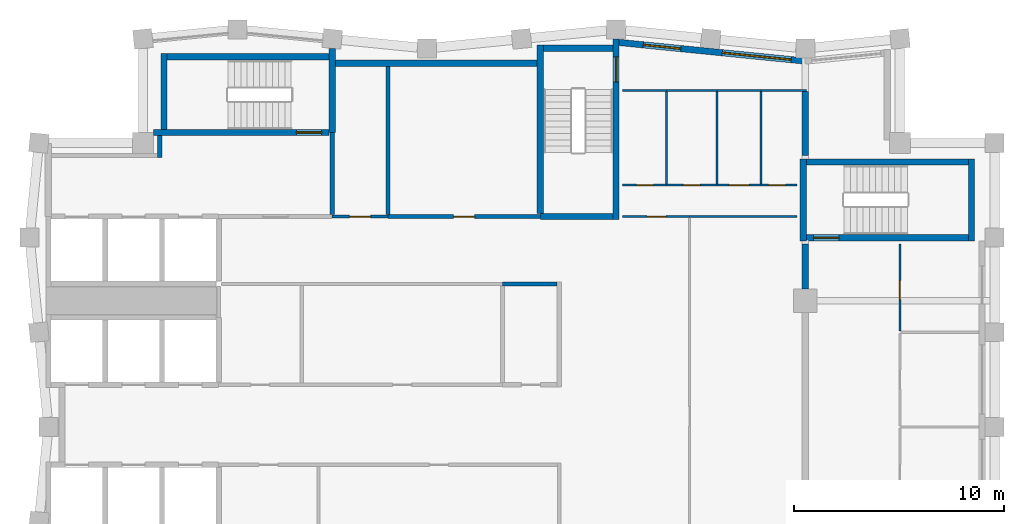
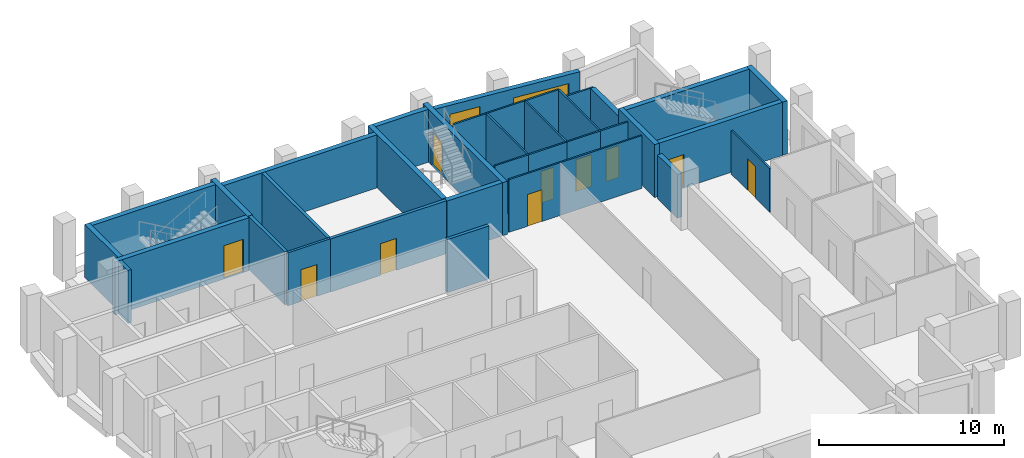
# One storey, part 5 of 7: 36 walls, 11 doors, 2 windows, 13 openings.
"""IFC4 building model written with IfcOpenShell, lengths in metres."""

from ifc_helpers import new_model, si_unit, direction, frame, frame_2d, origin, place, context, subcontext, project, spatial, rectangle, extrude, material, layer, layer_set, type_object, element, fill, save


model = new_model("IFC4")

# Units and contexts
model_context = context("Model", 3, precision=1e-05, world=origin(), true_north=direction((0.0, 1.0)))
body_context = subcontext(model_context, "Body", "Model", "MODEL_VIEW")
ifc_project = project(units=[si_unit("LENGTHUNIT", "METRE"), si_unit("AREAUNIT", "SQUARE_METRE"), si_unit("VOLUMEUNIT", "CUBIC_METRE"), si_unit("PLANEANGLEUNIT", "RADIAN"), si_unit("MASSUNIT", "GRAM", prefix="KILO")], contexts=[model_context])

# Site, building, storey
site_placement = place(None, origin())
site = spatial("IfcSite", under=ifc_project, at=site_placement, CompositionType="ELEMENT")
building_placement = place(site_placement, origin())
building = spatial("IfcBuilding", under=site, at=building_placement, Name="Brondeck Convention Tower", CompositionType="ELEMENT")
storey_placement = place(building_placement, frame((0.0, 0.0, 256.199951171875)))
storey = spatial("IfcBuildingStorey", under=building, at=storey_placement, Name="L63", CompositionType="ELEMENT", Elevation=256.199951171875)

# Walls
ifc_material_1 = material(Name="Concrete compartment wall C30/37", Category="concrete")
ifc_layer_1 = layer(ifc_material_1, 0.300048828125)
ifc_layer_set_1 = layer_set([ifc_layer_1], Name="Compartment wall 300")
wall_type_1 = type_object("IfcWallType", Name="Compartment wall 300", PredefinedType="PARTITIONING", material=ifc_layer_set_1)
wall_1_placement = place(storey_placement, frame((36.0, 51.554931640625, 0.0), z_axis=(0.0, 0.0, 1.0), x_axis=(0.0, 1.0, 0.0)))
element("IfcWall", 1, at=wall_1_placement, inside=storey, type_object=wall_type_1, Name="FLR-L63-W037", PredefinedType="PARTITIONING", context=body_context, shape_type="SweptSolid", body=[
    extrude(rectangle(XDim=2.14501953125, YDim=0.300048828125, at=frame_2d((1.072509765625, 0.0))), origin(), (0.0, 0.0, 1.0), 2.880126953125),
])
wall_2_placement = place(storey_placement, frame((36.0, 60.949951171875, 0.0), z_axis=(0.0, 0.0, 1.0), x_axis=(0.0, -1.0, 0.0)))
element("IfcWall", 2, at=wall_2_placement, inside=storey, type_object=wall_type_1, Name="FLR-L63-W049", PredefinedType="PARTITIONING", context=body_context, shape_type="SweptSolid", body=[
    extrude(rectangle(XDim=3.050048828125, YDim=0.300048828125, at=frame_2d((1.52490234375, 0.0))), origin(), (0.0, 0.0, 1.0), 2.880126953125),
])
ifc_material_2 = material(Name="Concrete C50/60", Category="concrete")
ifc_layer_2 = layer(ifc_material_2, 0.300048828125)
ifc_layer_set_2 = layer_set([ifc_layer_2], Name="Core outer wall 300 Concrete C50/60")
wall_type_2 = type_object("IfcWallType", Name="Core outer wall 300 Concrete C50/60", PredefinedType="SHEAR", material=ifc_layer_set_2)
wall_3_placement = place(storey_placement, frame((13.64990234375, 62.300048828125, 0.0), z_axis=(0.0, 0.0, 1.0), x_axis=(1.0, 0.0, 0.0)))
element("IfcWall", 3, at=wall_3_placement, inside=storey, type_object=wall_type_2, Name="L63 core wall", PredefinedType="SHEAR", context=body_context, shape_type="SweptSolid", body=[
    extrude(rectangle(XDim=9.60009765625, YDim=0.300048828125, at=frame_2d((4.800048828125, 0.0))), origin(), (0.0, 0.0, 1.0), 3.5),
])

# Wall, opening, door
ifc_material_3 = material(Name="Fire-rated gypsum board partition")
ifc_layer_3 = layer(ifc_material_3, 0.14990234375)
ifc_layer_set_3 = layer_set([ifc_layer_3], Name="Core partition 150 EI 60")
wall_type_3 = type_object("IfcWallType", Name="Core partition 150 EI 60", PredefinedType="PARTITIONING", material=ifc_layer_set_3)
wall_4_placement = place(storey_placement, frame((13.5, 55.0, 0.0), z_axis=(0.0, 0.0, 1.0), x_axis=(1.0, 0.0, 0.0)))
wall_4 = element("IfcWall", 4, at=wall_4_placement, inside=storey, type_object=wall_type_3, Name="L63 core wall", PredefinedType="PARTITIONING", context=body_context, shape_type="SweptSolid", body=[
    extrude(rectangle(XDim=2.64990234375, YDim=0.14990234375, at=frame_2d((1.324951171875, 0.0))), origin(), (0.0, 0.0, 1.0), 3.5),
])
opening_1_placement = place(wall_4_placement, frame((0.824951171875, 0.0, 0.0)))
opening_1 = element("IfcOpeningElement", 5, at=opening_1_placement, cuts=wall_4, Name="Opening C35-12", PredefinedType="OPENING", context=body_context, shape_type="SweptSolid", body=[
    extrude(rectangle(XDim=1.0, YDim=2.10009765625, at=frame_2d((0.5, 1.050048828125))), frame((0.0, 0.0849609375, 0.0), z_axis=(0.0, -1.0, 0.0), x_axis=(1.0, 0.0, 0.0)), (0.0, 0.0, 1.0), 0.169921875),
])
ifc_material_4 = material(Name="Steel fire door", Category="steel")
door_type_1 = type_object("IfcDoorType", Name="Room door 1000x2100 EI 60", OperationType="NOTDEFINED", PredefinedType="DOOR", material=ifc_material_4)
door_1_placement = place(opening_1_placement, origin())
door_1 = element("IfcDoor", 6, at=door_1_placement, inside=storey, type_object=door_type_1, Name="L63 Room door NE-1", OperationType="SINGLE_SWING_LEFT", OverallHeight=2.10009765625, OverallWidth=1.0, PredefinedType="DOOR", context=body_context, shape_type="SweptSolid", body=[
    extrude(rectangle(XDim=1.0, YDim=2.10009765625, at=frame_2d((0.5, 1.050048828125))), frame((0.0, 0.02490234375, 0.0), z_axis=(0.0, -1.0, 0.0), x_axis=(1.0, 0.0, 0.0)), (0.0, 0.0, 1.0), 0.050048828125),
])
fill(opening_1, door_1)

# Wall, openings, windows
ifc_material_5 = material(Name="Precast concrete C50/60 bronze finish", Category="concrete")
ifc_layer_4 = layer(ifc_material_5, 0.070068359375, Name="Bronze precast facing")
ifc_material_6 = material(Name="Mineral wool")
ifc_layer_5 = layer(ifc_material_6, 0.159912109375, Name="Insulation")
ifc_material_7 = material(Name="Concrete C35/45", Category="concrete")
ifc_layer_6 = layer(ifc_material_7, 0.070068359375, Name="Backing")
ifc_layer_set_4 = layer_set([ifc_layer_4, ifc_layer_5, ifc_layer_6], Name="External infill wall, precast concrete C50/60 bronze facing")
wall_type_4 = type_object("IfcWallType", Name="External infill wall, precast concrete C50/60 bronze facing", PredefinedType="SOLIDWALL", material=ifc_layer_set_4)
wall_5_placement = place(storey_placement, frame((27.089599609375, 63.2880859375, 0.0), z_axis=(0.0, 0.0, 1.0), x_axis=(0.995035835913, -0.09951726106, 0.0)))
wall_5 = element("IfcWall", 7, at=wall_5_placement, inside=storey, type_object=wall_type_4, Name="ENV-EW-L63-P3-A-N-07", PredefinedType="SOLIDWALL", context=body_context, shape_type="SweptSolid", body=[
    extrude(rectangle(XDim=8.9248046875, YDim=0.300048828125, at=frame_2d((4.46240234375, 0.0))), origin(), (0.0, 0.0, 1.0), 3.150146484375),
])
opening_2_placement = place(wall_5_placement, frame((1.211181640625, 0.0, 0.75)))
opening_2 = element("IfcOpeningElement", 8, at=opening_2_placement, cuts=wall_5, Name="Opening W10", PredefinedType="OPENING", context=body_context, shape_type="SweptSolid", body=[
    extrude(rectangle(XDim=1.800048828125, YDim=1.800048828125, at=frame_2d((0.89990234375, 0.89990234375))), frame((0.0, 0.159912109375, 0.0), z_axis=(0.0, -1.0, 0.0), x_axis=(1.0, 0.0, 0.0)), (0.0, 0.0, 1.0), 0.320068359375),
])
opening_3_placement = place(wall_5_placement, frame((4.983642578125, 0.0, 0.14990234375)))
opening_3 = element("IfcOpeningElement", 9, at=opening_3_placement, cuts=wall_5, Name="Opening W9", PredefinedType="OPENING", context=body_context, shape_type="SweptSolid", body=[
    extrude(rectangle(XDim=3.300048828125, YDim=2.39990234375, at=frame_2d((1.64990234375, 1.199951171875))), frame((0.0, 0.159912109375, 0.0), z_axis=(0.0, -1.0, 0.0), x_axis=(1.0, 0.0, 0.0)), (0.0, 0.0, 1.0), 0.320068359375),
])
ifc_material_8 = material(Name="Bronze tinted double glazing", Category="glass")
window_type_1 = type_object("IfcWindowType", Name="Glazed flute window, bronze tinted", PartitioningType="SINGLE_PANEL", PredefinedType="WINDOW", material=ifc_material_8)
window_1_placement = place(opening_3_placement, origin())
window_1 = element("IfcWindow", 10, at=window_1_placement, inside=storey, type_object=window_type_1, Name="ENV-WN-L63-P3-A-N-07", OverallHeight=2.39990234375, OverallWidth=3.300048828125, PartitioningType="SINGLE_PANEL", PredefinedType="WINDOW", context=body_context, shape_type="SweptSolid", body=[
    extrude(rectangle(XDim=3.300048828125, YDim=2.39990234375, at=frame_2d((1.64990234375, 1.199951171875))), frame((0.0, 0.030029296875, 0.0), z_axis=(0.0, -1.0, 0.0), x_axis=(1.0, 0.0, 0.0)), (0.0, 0.0, 1.0), 0.06005859375),
])
fill(opening_3, window_1)
window_type_2 = type_object("IfcWindowType", Name="Punched window, bronze tinted", PartitioningType="SINGLE_PANEL", PredefinedType="WINDOW", material=ifc_material_8)
window_2_placement = place(opening_2_placement, origin())
window_2 = element("IfcWindow", 11, at=window_2_placement, inside=storey, type_object=window_type_2, Name="ENV-WN-L63-P3-A-N-06", OverallHeight=1.800048828125, OverallWidth=1.800048828125, PartitioningType="SINGLE_PANEL", PredefinedType="WINDOW", context=body_context, shape_type="SweptSolid", body=[
    extrude(rectangle(XDim=1.800048828125, YDim=1.800048828125, at=frame_2d((0.89990234375, 0.89990234375))), frame((0.0, 0.030029296875, 0.0), z_axis=(0.0, -1.0, 0.0), x_axis=(1.0, 0.0, 0.0)), (0.0, 0.0, 1.0), 0.06005859375),
])
fill(opening_2, window_2)

# Walls
ifc_layer_7 = layer(ifc_material_3, 0.199951171875)
ifc_layer_set_5 = layer_set([ifc_layer_7], Name="Firefighting lobby wall 200 EI 120")
wall_type_5 = type_object("IfcWallType", Name="Firefighting lobby wall 200 EI 120", PredefinedType="PARTITIONING", material=ifc_layer_set_5)
wall_6_placement = place(storey_placement, frame((5.300048828125, 57.800048828125, 0.0), z_axis=(0.0, 0.0, 1.0), x_axis=(0.0, 1.0, 0.0)))
element("IfcWall", 12, at=wall_6_placement, inside=storey, type_object=wall_type_5, Name="L63 core wall", PredefinedType="PARTITIONING", context=body_context, shape_type="SweptSolid", body=[
    extrude(rectangle(XDim=1.050048828125, YDim=0.199951171875, at=frame_2d((0.52490234375, 0.0))), origin(), (0.0, 0.0, 1.0), 3.5),
])
wall_7_placement = place(storey_placement, frame((13.5, 55.10009765625, 0.0), z_axis=(0.0, 0.0, 1.0), x_axis=(0.0, 1.0, 0.0)))
element("IfcWall", 13, at=wall_7_placement, inside=storey, type_object=wall_type_5, Name="L63 core wall", PredefinedType="PARTITIONING", context=body_context, shape_type="SweptSolid", body=[
    extrude(rectangle(XDim=3.89990234375, YDim=0.199951171875, at=frame_2d((1.949951171875, 0.0))), origin(), (0.0, 0.0, 1.0), 3.5),
])
ifc_layer_8 = layer(ifc_material_3, 0.199951171875)
ifc_layer_set_6 = layer_set([ifc_layer_8], Name="Riser wall 200 EI 120")
wall_type_6 = type_object("IfcWallType", Name="Riser wall 200 EI 120", PredefinedType="PARTITIONING", material=ifc_layer_set_6)
wall_8_placement = place(storey_placement, frame((21.60009765625, 51.800048828125, 0.0), z_axis=(0.0, 0.0, 1.0), x_axis=(1.0, 0.0, 0.0)))
element("IfcWall", 14, at=wall_8_placement, inside=storey, type_object=wall_type_6, Name="L63 core wall", PredefinedType="PARTITIONING", context=body_context, shape_type="SweptSolid", body=[
    extrude(rectangle(XDim=2.599853515625, YDim=0.199951171875, at=frame_2d((1.2998046875, 0.0))), origin(), (0.0, 0.0, 1.0), 3.5),
])

# Wall, opening, door
wall_9_placement = place(storey_placement, frame((16.14990234375, 55.0, 0.0), z_axis=(0.0, 0.0, 1.0), x_axis=(1.0, 0.0, 0.0)))
wall_9 = element("IfcWall", 15, at=wall_9_placement, inside=storey, type_object=wall_type_6, Name="L63 core wall", PredefinedType="PARTITIONING", context=body_context, shape_type="SweptSolid", body=[
    extrude(rectangle(XDim=7.25, YDim=0.199951171875, at=frame_2d((3.625, 0.0))), origin(), (0.0, 0.0, 1.0), 3.5),
])
opening_4_placement = place(wall_9_placement, frame((3.125, 0.0, 0.0)))
opening_4 = element("IfcOpeningElement", 16, at=opening_4_placement, cuts=wall_9, Name="Opening C35-13", PredefinedType="OPENING", context=body_context, shape_type="SweptSolid", body=[
    extrude(rectangle(XDim=1.0, YDim=2.10009765625, at=frame_2d((0.5, 1.050048828125))), frame((0.0, 0.10986328125, 0.0), z_axis=(0.0, -1.0, 0.0), x_axis=(1.0, 0.0, 0.0)), (0.0, 0.0, 1.0), 0.219970703125),
])
door_type_2 = type_object("IfcDoorType", Name="Riser door 1000x2100 EI 120", OperationType="NOTDEFINED", PredefinedType="DOOR", material=ifc_material_4)
door_2_placement = place(opening_4_placement, origin())
door_2 = element("IfcDoor", 17, at=door_2_placement, inside=storey, type_object=door_type_2, Name="L63 Riser door NE-2", OperationType="SINGLE_SWING_RIGHT", OverallHeight=2.10009765625, OverallWidth=1.0, PredefinedType="DOOR", context=body_context, shape_type="SweptSolid", body=[
    extrude(rectangle(XDim=1.0, YDim=2.10009765625, at=frame_2d((0.5, 1.050048828125))), frame((0.0, 0.02490234375, 0.0), z_axis=(0.0, -1.0, 0.0), x_axis=(1.0, 0.0, 0.0)), (0.0, 0.0, 1.0), 0.050048828125),
])
fill(opening_4, door_2)

# Wall
wall_10_placement = place(storey_placement, frame((16.14990234375, 55.10009765625, 0.0), z_axis=(0.0, 0.0, 1.0), x_axis=(0.0, 1.0, 0.0)))
element("IfcWall", 18, at=wall_10_placement, inside=storey, type_object=wall_type_6, Name="L63 core wall", PredefinedType="PARTITIONING", context=body_context, shape_type="SweptSolid", body=[
    extrude(rectangle(XDim=7.0498046875, YDim=0.199951171875, at=frame_2d((3.52490234375, 0.0))), origin(), (0.0, 0.0, 1.0), 3.5),
])

# Wall, opening, door
ifc_material_9 = material(Name="Gypsum board partition on steel studs", Category="steel")
ifc_layer_9 = layer(ifc_material_9, 0.10009765625)
ifc_layer_set_7 = layer_set([ifc_layer_9], Name="Room partition 100")
wall_type_7 = type_object("IfcWallType", Name="Room partition 100", PredefinedType="PARTITIONING", material=ifc_layer_set_7)
wall_11_placement = place(storey_placement, frame((40.5, 53.699951171875, 0.0), z_axis=(0.0, 0.0, 1.0), x_axis=(0.0, -1.0, 0.0)))
wall_11 = element("IfcWall", 19, at=wall_11_placement, inside=storey, type_object=wall_type_7, Name="FLR-L63-W038", PredefinedType="PARTITIONING", context=body_context, shape_type="SweptSolid", body=[
    extrude(rectangle(XDim=4.14990234375, YDim=0.10009765625, at=frame_2d((2.074951171875, 0.0))), origin(), (0.0, 0.0, 1.0), 2.880126953125),
])
opening_5_placement = place(wall_11_placement, frame((1.75, 0.0, 0.0)))
opening_5 = element("IfcOpeningElement", 20, at=opening_5_placement, cuts=wall_11, Name="Opening EX-A2-004", PredefinedType="OPENING", context=body_context, shape_type="SweptSolid", body=[
    extrude(rectangle(XDim=0.89990234375, YDim=2.10009765625, at=frame_2d((0.449951171875, 1.050048828125))), frame((0.0, 0.06005859375, 0.0), z_axis=(0.0, -1.0, 0.0), x_axis=(1.0, 0.0, 0.0)), (0.0, 0.0, 1.0), 0.1201171875),
])
ifc_material_10 = material(Name="Solid timber door leaf", Category="wood")
door_type_3 = type_object("IfcDoorType", Name="Single door 900", OperationType="NOTDEFINED", PredefinedType="DOOR", material=ifc_material_10)
door_3_placement = place(opening_5_placement, origin())
door_3 = element("IfcDoor", 21, at=door_3_placement, inside=storey, type_object=door_type_3, Name="Door EX-A2-004", OperationType="SINGLE_SWING_LEFT", OverallHeight=2.10009765625, OverallWidth=0.89990234375, PredefinedType="DOOR", context=body_context, shape_type="SweptSolid", body=[
    extrude(rectangle(XDim=0.89990234375, YDim=2.10009765625, at=frame_2d((0.449951171875, 1.050048828125))), frame((0.0, 0.02490234375, 0.0), z_axis=(0.0, -1.0, 0.0), x_axis=(1.0, 0.0, 0.0)), (0.0, 0.0, 1.0), 0.050048828125),
])
fill(opening_5, door_3)

wall_12_placement = place(storey_placement, frame((27.300048828125, 55.0, 0.0), z_axis=(0.0, 0.0, 1.0), x_axis=(1.0, 0.0, 0.0)))
wall_12 = element("IfcWall", 22, at=wall_12_placement, inside=storey, type_object=wall_type_7, Name="FLR-L63-W040", PredefinedType="PARTITIONING", context=body_context, shape_type="SweptSolid", body=[
    extrude(rectangle(XDim=3.199951171875, YDim=0.10009765625, at=frame_2d((1.60009765625, 0.0))), origin(), (0.0, 0.0, 1.0), 3.47998046875),
])
opening_6_placement = place(wall_12_placement, frame((1.175048828125, 0.0, 0.0)))
opening_6 = element("IfcOpeningElement", 23, at=opening_6_placement, cuts=wall_12, Name="Opening EX-A2-010", PredefinedType="OPENING", context=body_context, shape_type="SweptSolid", body=[
    extrude(rectangle(XDim=0.89990234375, YDim=2.10009765625, at=frame_2d((0.449951171875, 1.050048828125))), frame((0.0, 0.06005859375, 0.0), z_axis=(0.0, -1.0, 0.0), x_axis=(1.0, 0.0, 0.0)), (0.0, 0.0, 1.0), 0.1201171875),
])
door_4_placement = place(opening_6_placement, origin())
door_4 = element("IfcDoor", 24, at=door_4_placement, inside=storey, type_object=door_type_3, Name="Door EX-A2-010", OperationType="SINGLE_SWING_RIGHT", OverallHeight=2.10009765625, OverallWidth=0.89990234375, PredefinedType="DOOR", context=body_context, shape_type="SweptSolid", body=[
    extrude(rectangle(XDim=0.89990234375, YDim=2.10009765625, at=frame_2d((0.449951171875, 1.050048828125))), frame((0.0, 0.02490234375, 0.0), z_axis=(0.0, -1.0, 0.0), x_axis=(1.0, 0.0, 0.0)), (0.0, 0.0, 1.0), 0.050048828125),
])
fill(opening_6, door_4)

# Wall
wall_13_placement = place(storey_placement, frame((35.60009765625, 55.0, 0.0), z_axis=(0.0, 0.0, 1.0), x_axis=(-1.0, 0.0, 0.0)))
element("IfcWall", 25, at=wall_13_placement, inside=storey, type_object=wall_type_7, Name="FLR-L63-W041", PredefinedType="PARTITIONING", context=body_context, shape_type="SweptSolid", body=[
    extrude(rectangle(XDim=5.10009765625, YDim=0.10009765625, at=frame_2d((2.550048828125, 0.0))), origin(), (0.0, 0.0, 1.0), 3.47998046875),
])

# Wall, opening, door
wall_14_placement = place(storey_placement, frame((27.300048828125, 56.5, 0.0), z_axis=(0.0, 0.0, 1.0), x_axis=(1.0, 0.0, 0.0)))
wall_14 = element("IfcWall", 26, at=wall_14_placement, inside=storey, type_object=wall_type_7, Name="FLR-L63-W042", PredefinedType="PARTITIONING", context=body_context, shape_type="SweptSolid", body=[
    extrude(rectangle(XDim=2.099853515625, YDim=0.10009765625, at=frame_2d((1.0498046875, 0.0))), origin(), (0.0, 0.0, 1.0), 3.47998046875),
])
opening_7_placement = place(wall_14_placement, frame((0.675048828125, 0.0, 0.0)))
opening_7 = element("IfcOpeningElement", 27, at=opening_7_placement, cuts=wall_14, Name="Opening EX-A2-011", PredefinedType="OPENING", context=body_context, shape_type="SweptSolid", body=[
    extrude(rectangle(XDim=0.800048828125, YDim=2.10009765625, at=frame_2d((0.39990234375, 1.050048828125))), frame((0.0, 0.06005859375, 0.0), z_axis=(0.0, -1.0, 0.0), x_axis=(1.0, 0.0, 0.0)), (0.0, 0.0, 1.0), 0.1201171875),
])
door_type_4 = type_object("IfcDoorType", Name="En-suite door 800", OperationType="NOTDEFINED", PredefinedType="DOOR", material=ifc_material_10)
door_5_placement = place(opening_7_placement, origin())
door_5 = element("IfcDoor", 28, at=door_5_placement, inside=storey, type_object=door_type_4, Name="Door EX-A2-011", OperationType="SINGLE_SWING_LEFT", OverallHeight=2.10009765625, OverallWidth=0.800048828125, PredefinedType="DOOR", context=body_context, shape_type="SweptSolid", body=[
    extrude(rectangle(XDim=0.800048828125, YDim=2.10009765625, at=frame_2d((0.39990234375, 1.050048828125))), frame((0.0, 0.02490234375, 0.0), z_axis=(0.0, -1.0, 0.0), x_axis=(1.0, 0.0, 0.0)), (0.0, 0.0, 1.0), 0.050048828125),
])
fill(opening_7, door_5)

wall_15_placement = place(storey_placement, frame((29.39990234375, 56.5, 0.0), z_axis=(0.0, 0.0, 1.0), x_axis=(1.0, 0.0, 0.0)))
wall_15 = element("IfcWall", 29, at=wall_15_placement, inside=storey, type_object=wall_type_7, Name="FLR-L63-W043", PredefinedType="PARTITIONING", context=body_context, shape_type="SweptSolid", body=[
    extrude(rectangle(XDim=2.400146484375, YDim=0.10009765625, at=frame_2d((1.2001953125, 0.0))), origin(), (0.0, 0.0, 1.0), 3.47998046875),
])
opening_8_placement = place(wall_15_placement, frame((0.800048828125, 0.0, 0.0)))
opening_8 = element("IfcOpeningElement", 30, at=opening_8_placement, cuts=wall_15, Name="Opening EX-A2-012", PredefinedType="OPENING", context=body_context, shape_type="SweptSolid", body=[
    extrude(rectangle(XDim=0.800048828125, YDim=2.10009765625, at=frame_2d((0.39990234375, 1.050048828125))), frame((0.0, 0.06005859375, 0.0), z_axis=(0.0, -1.0, 0.0), x_axis=(1.0, 0.0, 0.0)), (0.0, 0.0, 1.0), 0.1201171875),
])
door_6_placement = place(opening_8_placement, origin())
door_6 = element("IfcDoor", 31, at=door_6_placement, inside=storey, type_object=door_type_4, Name="Door EX-A2-012", OperationType="SINGLE_SWING_RIGHT", OverallHeight=2.10009765625, OverallWidth=0.800048828125, PredefinedType="DOOR", context=body_context, shape_type="SweptSolid", body=[
    extrude(rectangle(XDim=0.800048828125, YDim=2.10009765625, at=frame_2d((0.39990234375, 1.050048828125))), frame((0.0, 0.02490234375, 0.0), z_axis=(0.0, -1.0, 0.0), x_axis=(1.0, 0.0, 0.0)), (0.0, 0.0, 1.0), 0.050048828125),
])
fill(opening_8, door_6)

wall_16_placement = place(storey_placement, frame((31.800048828125, 56.5, 0.0), z_axis=(0.0, 0.0, 1.0), x_axis=(1.0, 0.0, 0.0)))
wall_16 = element("IfcWall", 32, at=wall_16_placement, inside=storey, type_object=wall_type_7, Name="FLR-L63-W044", PredefinedType="PARTITIONING", context=body_context, shape_type="SweptSolid", body=[
    extrude(rectangle(XDim=2.099853515625, YDim=0.10009765625, at=frame_2d((1.0498046875, 0.0))), origin(), (0.0, 0.0, 1.0), 3.47998046875),
])
opening_9_placement = place(wall_16_placement, frame((0.574951171875, 0.0, 0.0)))
opening_9 = element("IfcOpeningElement", 33, at=opening_9_placement, cuts=wall_16, Name="Opening EX-A2-013", PredefinedType="OPENING", context=body_context, shape_type="SweptSolid", body=[
    extrude(rectangle(XDim=0.949951171875, YDim=2.10009765625, at=frame_2d((0.47509765625, 1.050048828125))), frame((0.0, 0.06005859375, 0.0), z_axis=(0.0, -1.0, 0.0), x_axis=(1.0, 0.0, 0.0)), (0.0, 0.0, 1.0), 0.1201171875),
])
door_type_5 = type_object("IfcDoorType", Name="Accessible door 950", OperationType="NOTDEFINED", PredefinedType="DOOR", material=ifc_material_10)
door_7_placement = place(opening_9_placement, origin())
door_7 = element("IfcDoor", 34, at=door_7_placement, inside=storey, type_object=door_type_5, Name="Door EX-A2-013", OperationType="SINGLE_SWING_LEFT", OverallHeight=2.10009765625, OverallWidth=0.949951171875, PredefinedType="DOOR", context=body_context, shape_type="SweptSolid", body=[
    extrude(rectangle(XDim=0.949951171875, YDim=2.10009765625, at=frame_2d((0.47509765625, 1.050048828125))), frame((0.0, 0.02490234375, 0.0), z_axis=(0.0, -1.0, 0.0), x_axis=(1.0, 0.0, 0.0)), (0.0, 0.0, 1.0), 0.050048828125),
])
fill(opening_9, door_7)

wall_17_placement = place(storey_placement, frame((33.89990234375, 56.5, 0.0), z_axis=(0.0, 0.0, 1.0), x_axis=(1.0, 0.0, 0.0)))
wall_17 = element("IfcWall", 35, at=wall_17_placement, inside=storey, type_object=wall_type_7, Name="FLR-L63-W045", PredefinedType="PARTITIONING", context=body_context, shape_type="SweptSolid", body=[
    extrude(rectangle(XDim=1.7001953125, YDim=0.10009765625, at=frame_2d((0.85009765625, 0.0))), origin(), (0.0, 0.0, 1.0), 3.47998046875),
])
opening_10_placement = place(wall_17_placement, frame((0.35009765625, 0.0, 0.0)))
opening_10 = element("IfcOpeningElement", 36, at=opening_10_placement, cuts=wall_17, Name="Opening EX-A2-014", PredefinedType="OPENING", context=body_context, shape_type="SweptSolid", body=[
    extrude(rectangle(XDim=0.800048828125, YDim=2.10009765625, at=frame_2d((0.39990234375, 1.050048828125))), frame((0.0, 0.06005859375, 0.0), z_axis=(0.0, -1.0, 0.0), x_axis=(1.0, 0.0, 0.0)), (0.0, 0.0, 1.0), 0.1201171875),
])
ifc_material_11 = material(Name="Steel service door leaf", Category="steel")
door_type_6 = type_object("IfcDoorType", Name="Service door 800", OperationType="NOTDEFINED", PredefinedType="DOOR", material=ifc_material_11)
door_8_placement = place(opening_10_placement, origin())
door_8 = element("IfcDoor", 37, at=door_8_placement, inside=storey, type_object=door_type_6, Name="Door EX-A2-014", OperationType="SINGLE_SWING_LEFT", OverallHeight=2.10009765625, OverallWidth=0.800048828125, PredefinedType="DOOR", context=body_context, shape_type="SweptSolid", body=[
    extrude(rectangle(XDim=0.800048828125, YDim=2.10009765625, at=frame_2d((0.39990234375, 1.050048828125))), frame((0.0, 0.02490234375, 0.0), z_axis=(0.0, -1.0, 0.0), x_axis=(1.0, 0.0, 0.0)), (0.0, 0.0, 1.0), 0.050048828125),
])
fill(opening_10, door_8)

# Walls
for number, where, z_axis, x_axis, name in (
    (38, (29.39990234375, 60.949951171875, 0.0), (0.0, 0.0, 1.0), (0.0, -1.0, 0.0), "FLR-L63-W046"),
    (39, (31.800048828125, 60.949951171875, 0.0), (0.0, 0.0, 1.0), (0.0, -1.0, 0.0), "FLR-L63-W047"),
    (40, (33.89990234375, 60.949951171875, 0.0), (0.0, 0.0, 1.0), (0.0, -1.0, 0.0), "FLR-L63-W048"),
):
    element("IfcWall", number, at=place(storey_placement, frame(where, z_axis=z_axis, x_axis=x_axis)), inside=storey, type_object=wall_type_7, Name=name, PredefinedType="PARTITIONING", context=body_context, shape_type="SweptSolid", body=[
        extrude(rectangle(XDim=4.39990234375, YDim=0.10009765625, at=frame_2d((2.199951171875, 0.0))), origin(), (0.0, 0.0, 1.0), 3.47998046875),
    ])
wall_18_placement = place(storey_placement, frame((27.300048828125, 61.0, 0.0), z_axis=(0.0, 0.0, 1.0), x_axis=(1.0, 0.0, 0.0)))
element("IfcWall", 41, at=wall_18_placement, inside=storey, type_object=wall_type_7, Name="FLR-L63-W050", PredefinedType="PARTITIONING", context=body_context, shape_type="SweptSolid", body=[
    extrude(rectangle(XDim=2.099853515625, YDim=0.10009765625, at=frame_2d((1.0498046875, 0.0))), origin(), (0.0, 0.0, 1.0), 3.47998046875),
])
wall_19_placement = place(storey_placement, frame((29.39990234375, 61.0, 0.0), z_axis=(0.0, 0.0, 1.0), x_axis=(1.0, 0.0, 0.0)))
element("IfcWall", 42, at=wall_19_placement, inside=storey, type_object=wall_type_7, Name="FLR-L63-W051", PredefinedType="PARTITIONING", context=body_context, shape_type="SweptSolid", body=[
    extrude(rectangle(XDim=2.400146484375, YDim=0.10009765625, at=frame_2d((1.2001953125, 0.0))), origin(), (0.0, 0.0, 1.0), 3.47998046875),
])
wall_20_placement = place(storey_placement, frame((31.800048828125, 61.0, 0.0), z_axis=(0.0, 0.0, 1.0), x_axis=(1.0, 0.0, 0.0)))
element("IfcWall", 43, at=wall_20_placement, inside=storey, type_object=wall_type_7, Name="FLR-L63-W052", PredefinedType="PARTITIONING", context=body_context, shape_type="SweptSolid", body=[
    extrude(rectangle(XDim=2.099853515625, YDim=0.10009765625, at=frame_2d((1.0498046875, 0.0))), origin(), (0.0, 0.0, 1.0), 3.47998046875),
])
wall_21_placement = place(storey_placement, frame((33.89990234375, 61.0, 0.0), z_axis=(0.0, 0.0, 1.0), x_axis=(1.0, 0.0, 0.0)))
element("IfcWall", 44, at=wall_21_placement, inside=storey, type_object=wall_type_7, Name="FLR-L63-W053", PredefinedType="PARTITIONING", context=body_context, shape_type="SweptSolid", body=[
    extrude(rectangle(XDim=2.150146484375, YDim=0.10009765625, at=frame_2d((1.0751953125, 0.0))), origin(), (0.0, 0.0, 1.0), 2.880126953125),
])

# Wall, opening, door
ifc_layer_10 = layer(ifc_material_2, 0.300048828125)
ifc_layer_set_8 = layer_set([ifc_layer_10], Name="Stair enclosure wall 300 Concrete C50/60")
wall_type_8 = type_object("IfcWallType", Name="Stair enclosure wall 300 Concrete C50/60", PredefinedType="SHEAR", material=ifc_layer_set_8)
wall_22_placement = place(storey_placement, frame((36.050048828125, 54.0, 0.0), z_axis=(0.0, 0.0, 1.0), x_axis=(1.0, 0.0, 0.0)))
wall_22 = element("IfcWall", 45, at=wall_22_placement, inside=storey, type_object=wall_type_8, Name="L63 core wall", PredefinedType="SHEAR", context=body_context, shape_type="SweptSolid", body=[
    extrude(rectangle(XDim=7.699951171875, YDim=0.300048828125, at=frame_2d((3.85009765625, 0.0))), origin(), (0.0, 0.0, 1.0), 3.5),
])
opening_11_placement = place(wall_22_placement, frame((0.35009765625, 0.0, 0.0)))
opening_11 = element("IfcOpeningElement", 46, at=opening_11_placement, cuts=wall_22, Name="Opening C35-17", PredefinedType="OPENING", context=body_context, shape_type="SweptSolid", body=[
    extrude(rectangle(XDim=1.199951171875, YDim=2.199951171875, at=frame_2d((0.60009765625, 1.10009765625))), frame((0.0, 0.159912109375, 0.0), z_axis=(0.0, -1.0, 0.0), x_axis=(1.0, 0.0, 0.0)), (0.0, 0.0, 1.0), 0.320068359375),
])
door_type_7 = type_object("IfcDoorType", Name="Stair door 1200x2200 EI 90", OperationType="NOTDEFINED", PredefinedType="DOOR", material=ifc_material_4)
door_9_placement = place(opening_11_placement, origin())
door_9 = element("IfcDoor", 47, at=door_9_placement, inside=storey, type_object=door_type_7, Name="L63 Stair door ST-AE", OperationType="SINGLE_SWING_LEFT", OverallHeight=2.199951171875, OverallWidth=1.199951171875, PredefinedType="DOOR", context=body_context, shape_type="SweptSolid", body=[
    extrude(rectangle(XDim=1.199951171875, YDim=2.199951171875, at=frame_2d((0.60009765625, 1.10009765625))), frame((0.0, 0.02490234375, 0.0), z_axis=(0.0, -1.0, 0.0), x_axis=(1.0, 0.0, 0.0)), (0.0, 0.0, 1.0), 0.050048828125),
])
fill(opening_11, door_9)

# Walls
wall_23_placement = place(storey_placement, frame((23.39990234375, 55.0, 0.0), z_axis=(0.0, 0.0, 1.0), x_axis=(1.0, 0.0, 0.0)))
element("IfcWall", 48, at=wall_23_placement, inside=storey, type_object=wall_type_8, Name="L63 core wall", PredefinedType="SHEAR", context=body_context, shape_type="SweptSolid", body=[
    extrude(rectangle(XDim=3.4501953125, YDim=0.300048828125, at=frame_2d((1.72509765625, 0.0))), origin(), (0.0, 0.0, 1.0), 3.5),
])
wall_24_placement = place(storey_placement, frame((36.050048828125, 57.60009765625, 0.0), z_axis=(0.0, 0.0, 1.0), x_axis=(1.0, 0.0, 0.0)))
element("IfcWall", 49, at=wall_24_placement, inside=storey, type_object=wall_type_8, Name="L63 core wall", PredefinedType="SHEAR", context=body_context, shape_type="SweptSolid", body=[
    extrude(rectangle(XDim=7.699951171875, YDim=0.300048828125, at=frame_2d((3.85009765625, 0.0))), origin(), (0.0, 0.0, 1.0), 3.5),
])

# Wall, opening, door
wall_25_placement = place(storey_placement, frame((5.0, 59.0, 0.0), z_axis=(0.0, 0.0, 1.0), x_axis=(1.0, 0.0, 0.0)))
wall_25 = element("IfcWall", 50, at=wall_25_placement, inside=storey, type_object=wall_type_8, Name="L63 core wall", PredefinedType="SHEAR", context=body_context, shape_type="SweptSolid", body=[
    extrude(rectangle(XDim=8.35009765625, YDim=0.300048828125, at=frame_2d((4.175048828125, 0.0))), origin(), (0.0, 0.0, 1.0), 3.5),
])
opening_12_placement = place(wall_25_placement, frame((6.800048828125, 0.0, 0.0)))
opening_12 = element("IfcOpeningElement", 51, at=opening_12_placement, cuts=wall_25, Name="Opening C35-16", PredefinedType="OPENING", context=body_context, shape_type="SweptSolid", body=[
    extrude(rectangle(XDim=1.199951171875, YDim=2.199951171875, at=frame_2d((0.60009765625, 1.10009765625))), frame((0.0, 0.159912109375, 0.0), z_axis=(0.0, -1.0, 0.0), x_axis=(1.0, 0.0, 0.0)), (0.0, 0.0, 1.0), 0.320068359375),
])
door_type_8 = type_object("IfcDoorType", Name="Stair door 1200x2200 EI 120", OperationType="NOTDEFINED", PredefinedType="DOOR", material=ifc_material_4)
door_10_placement = place(opening_12_placement, origin())
door_10 = element("IfcDoor", 52, at=door_10_placement, inside=storey, type_object=door_type_8, Name="L63 Stair door ST-3", OperationType="SINGLE_SWING_RIGHT", OverallHeight=2.199951171875, OverallWidth=1.199951171875, PredefinedType="DOOR", context=body_context, shape_type="SweptSolid", body=[
    extrude(rectangle(XDim=1.199951171875, YDim=2.199951171875, at=frame_2d((0.60009765625, 1.10009765625))), frame((0.0, 0.02490234375, 0.0), z_axis=(0.0, -1.0, 0.0), x_axis=(1.0, 0.0, 0.0)), (0.0, 0.0, 1.0), 0.050048828125),
])
fill(opening_12, door_10)

# Walls
wall_26_placement = place(storey_placement, frame((5.64990234375, 62.60009765625, 0.0), z_axis=(0.0, 0.0, 1.0), x_axis=(1.0, 0.0, 0.0)))
element("IfcWall", 53, at=wall_26_placement, inside=storey, type_object=wall_type_8, Name="L63 core wall", PredefinedType="SHEAR", context=body_context, shape_type="SweptSolid", body=[
    extrude(rectangle(XDim=7.7001953125, YDim=0.300048828125, at=frame_2d((3.85009765625, 0.0))), origin(), (0.0, 0.0, 1.0), 3.5),
])
wall_27_placement = place(storey_placement, frame((23.550048828125, 63.0, 0.0), z_axis=(0.0, 0.0, 1.0), x_axis=(1.0, 0.0, 0.0)))
element("IfcWall", 54, at=wall_27_placement, inside=storey, type_object=wall_type_8, Name="L63 core wall", PredefinedType="SHEAR", context=body_context, shape_type="SweptSolid", body=[
    extrude(rectangle(XDim=3.300048828125, YDim=0.300048828125, at=frame_2d((1.64990234375, 0.0))), origin(), (0.0, 0.0, 1.0), 3.5),
])
wall_28_placement = place(storey_placement, frame((5.5, 59.14990234375, 0.0), z_axis=(0.0, 0.0, 1.0), x_axis=(0.0, 1.0, 0.0)))
element("IfcWall", 55, at=wall_28_placement, inside=storey, type_object=wall_type_8, Name="L63 core wall", PredefinedType="SHEAR", context=body_context, shape_type="SweptSolid", body=[
    extrude(rectangle(XDim=3.60009765625, YDim=0.300048828125, at=frame_2d((1.800048828125, 0.0))), origin(), (0.0, 0.0, 1.0), 3.5),
])
wall_29_placement = place(storey_placement, frame((13.5, 59.0, 0.0), z_axis=(0.0, 0.0, 1.0), x_axis=(0.0, 1.0, 0.0)))
element("IfcWall", 56, at=wall_29_placement, inside=storey, type_object=wall_type_8, Name="L63 core wall", PredefinedType="SHEAR", context=body_context, shape_type="SweptSolid", body=[
    extrude(rectangle(XDim=3.997802734375, YDim=0.300048828125, at=frame_2d((1.9990234375, 0.0))), origin(), (0.0, 0.0, 1.0), 3.5),
])
wall_30_placement = place(storey_placement, frame((23.39990234375, 55.14990234375, 0.0), z_axis=(0.0, 0.0, 1.0), x_axis=(0.0, 1.0, 0.0)))
element("IfcWall", 57, at=wall_30_placement, inside=storey, type_object=wall_type_8, Name="L63 core wall", PredefinedType="SHEAR", context=body_context, shape_type="SweptSolid", body=[
    extrude(rectangle(XDim=8.0, YDim=0.300048828125, at=frame_2d((4.0, 0.0))), origin(), (0.0, 0.0, 1.0), 3.5),
])

# Wall, opening, door
wall_31_placement = place(storey_placement, frame((27.0, 54.85009765625, 0.0), z_axis=(0.0, 0.0, 1.0), x_axis=(0.0, 1.0, 0.0)))
wall_31 = element("IfcWall", 58, at=wall_31_placement, inside=storey, type_object=wall_type_8, Name="L63 core wall", PredefinedType="SHEAR", context=body_context, shape_type="SweptSolid", body=[
    extrude(rectangle(XDim=8.599853515625, YDim=0.300048828125, at=frame_2d((4.2998046875, 0.0))), origin(), (0.0, 0.0, 1.0), 3.5),
])
opening_13_placement = place(wall_31_placement, frame((6.550048828125, 0.0, 0.0)))
opening_13 = element("IfcOpeningElement", 59, at=opening_13_placement, cuts=wall_31, Name="Opening C35-15", PredefinedType="OPENING", context=body_context, shape_type="SweptSolid", body=[
    extrude(rectangle(XDim=1.199951171875, YDim=2.199951171875, at=frame_2d((0.60009765625, 1.10009765625))), frame((0.0, 0.159912109375, 0.0), z_axis=(0.0, -1.0, 0.0), x_axis=(1.0, 0.0, 0.0)), (0.0, 0.0, 1.0), 0.320068359375),
])
door_11_placement = place(opening_13_placement, origin())
door_11 = element("IfcDoor", 60, at=door_11_placement, inside=storey, type_object=door_type_7, Name="L63 Stair door ST-2", OperationType="SINGLE_SWING_LEFT", OverallHeight=2.199951171875, OverallWidth=1.199951171875, PredefinedType="DOOR", context=body_context, shape_type="SweptSolid", body=[
    extrude(rectangle(XDim=1.199951171875, YDim=2.199951171875, at=frame_2d((0.60009765625, 1.10009765625))), frame((0.0, 0.02490234375, 0.0), z_axis=(0.0, -1.0, 0.0), x_axis=(1.0, 0.0, 0.0)), (0.0, 0.0, 1.0), 0.050048828125),
])
fill(opening_13, door_11)

# Walls
for number, where, z_axis, x_axis, name in (
    (61, (35.89990234375, 53.85009765625, 0.0), (0.0, 0.0, 1.0), (0.0, 1.0, 0.0), "L63 core wall"),
    (62, (43.89990234375, 53.85009765625, 0.0), (0.0, 0.0, 1.0), (0.0, 1.0, 0.0), "L63 core wall"),
):
    element("IfcWall", number, at=place(storey_placement, frame(where, z_axis=z_axis, x_axis=x_axis)), inside=storey, type_object=wall_type_8, Name=name, PredefinedType="SHEAR", context=body_context, shape_type="SweptSolid", body=[
        extrude(rectangle(XDim=3.89990234375, YDim=0.300048828125, at=frame_2d((1.949951171875, 0.0))), origin(), (0.0, 0.0, 1.0), 3.5),
    ])

save(model, "model.ifc")
